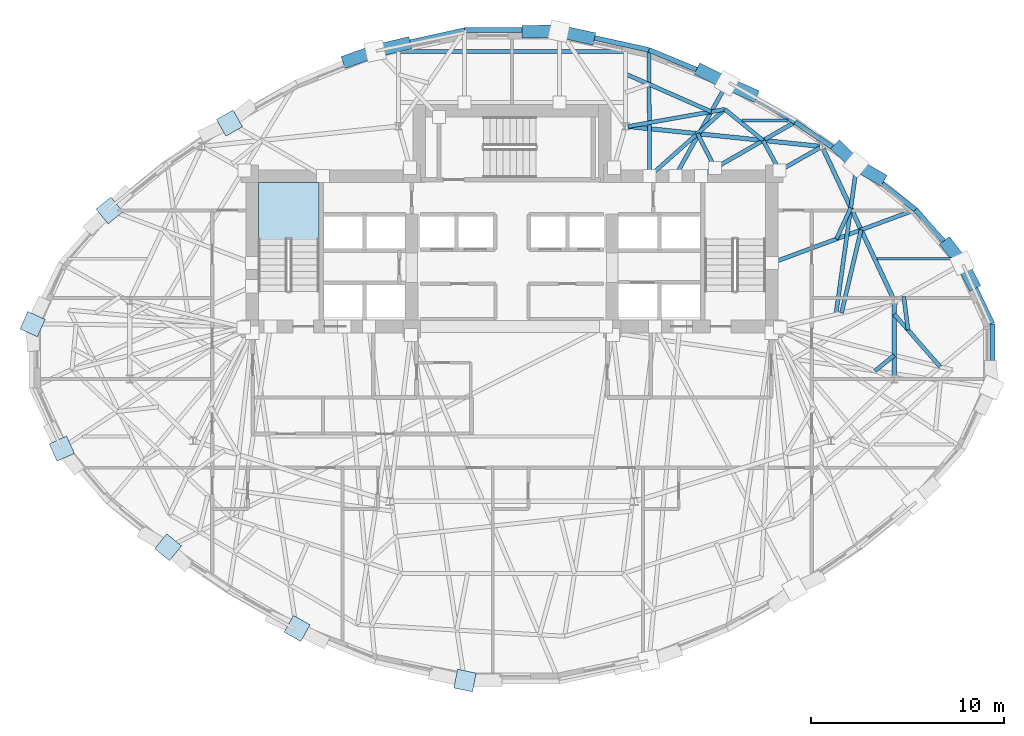
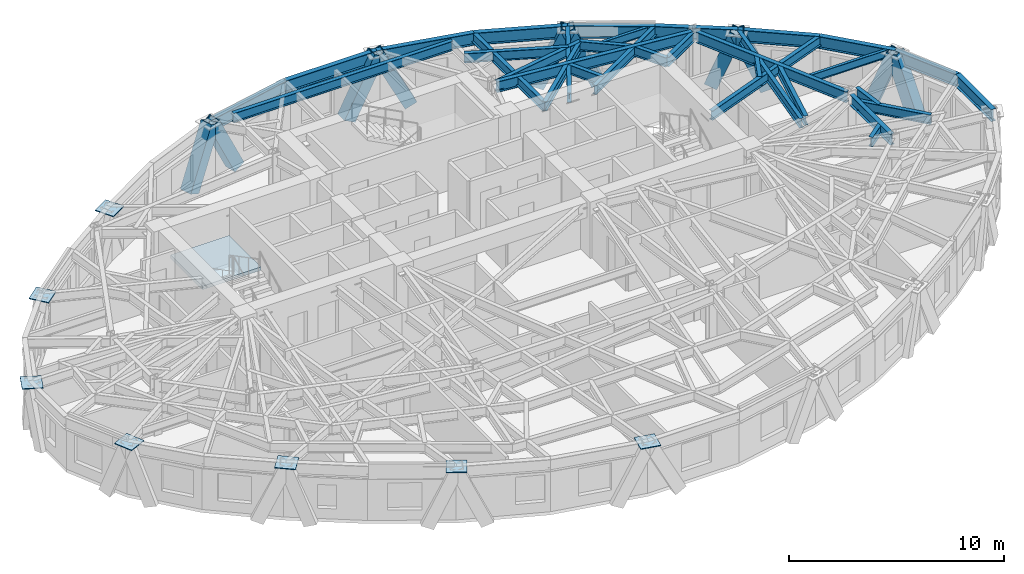
# One storey, part 4 of 14: 33 beams, 10 members, 7 plates, 1 slab, 1 element without a shape of its own.
"""IFC4 building model written with IfcOpenShell, lengths in metres."""

from ifc_helpers import new_model, si_unit, direction, frame, origin, origin_2d, place, context, subcontext, project, spatial, polyline, rectangle, hollow_rectangle, i_section, outline, extrude, material, layer, layer_set, material_profile, profile_set, type_object, element, aggregate, save


model = new_model("IFC4")

# Units and contexts
model_context = context("Model", 3, precision=1e-05, world=origin(), true_north=direction((0.0, 1.0)))
body_context = subcontext(model_context, "Body", "Model", "MODEL_VIEW")
ifc_project = project(units=[si_unit("LENGTHUNIT", "METRE"), si_unit("AREAUNIT", "SQUARE_METRE"), si_unit("VOLUMEUNIT", "CUBIC_METRE"), si_unit("PLANEANGLEUNIT", "RADIAN"), si_unit("MASSUNIT", "GRAM", prefix="KILO")], contexts=[model_context])

# Site, building, storey
site_placement = place(None, origin())
site = spatial("IfcSite", under=ifc_project, at=site_placement, CompositionType="ELEMENT")
building_placement = place(site_placement, origin())
building = spatial("IfcBuilding", under=site, at=building_placement, Name="Keldmark Tower", CompositionType="ELEMENT")
storey_placement = place(building_placement, frame((0.0, 0.0, 182.199951171875)))
storey = spatial("IfcBuildingStorey", under=building, at=storey_placement, Name="L50", CompositionType="ELEMENT", Elevation=182.199951171875)

# Beams
ifc_material_1 = material(Name="Steel ASTM A992 Grade 50", Category="steel")
ifc_material_profile_1 = material_profile(ifc_material_1, i_section(OverallWidth=0.153076171875, OverallDepth=0.455078125, WebThickness=0.008056640625, FlangeThickness=0.01318359375, at=origin_2d()), Name="W18X40")
ifc_profile_set_1 = profile_set([ifc_material_profile_1], Name="Steel ASTM A992 Grade 50")
beam_type_1 = type_object("IfcBeamType", Name="Composite Floor Joist W18X40", PredefinedType="JOIST", material=ifc_profile_set_1)
beam_1_placement = place(storey_placement, frame((18.927734375, 5.0400390625, 2.79248046875), z_axis=(1.0, 0.0, 0.0), x_axis=(0.0, 1.0, 0.0)))
element("IfcBeam", 1, at=beam_1_placement, inside=storey, type_object=beam_type_1, Name="L50 Composite Floor Joist J06", PredefinedType="JOIST", context=body_context, shape_type="SweptSolid", body=[
    extrude(i_section(OverallWidth=0.153076171875, OverallDepth=0.455078125, WebThickness=0.008056640625, FlangeThickness=0.01318359375, at=origin_2d()), origin(), (0.0, 0.0, 1.0), 4.1181640625),
])
beam_2_placement = place(storey_placement, frame((11.921630859375, 12.199951171875, 2.79248046875), z_axis=(1.0, 0.0, 0.0), x_axis=(0.0, 1.0, 0.0)))
element("IfcBeam", 2, at=beam_2_placement, inside=storey, type_object=beam_type_1, Name="L50 Composite Floor Joist J07", PredefinedType="JOIST", context=body_context, shape_type="SweptSolid", body=[
    extrude(i_section(OverallWidth=0.153076171875, OverallDepth=0.455078125, WebThickness=0.008056640625, FlangeThickness=0.01318359375, at=origin_2d()), origin(), (0.0, 0.0, 1.0), 2.400390625),
])

# Members
ifc_material_2 = material(Name="Steel ASTM A572 Grade 50", Category="steel")
ifc_material_profile_2 = material_profile(ifc_material_2, hollow_rectangle(XDim=0.64990234375, YDim=0.64990234375, WallThickness=0.0400390625, at=origin_2d()), Name="BOX650X650X40")
ifc_profile_set_2 = profile_set([ifc_material_profile_2], Name="Steel ASTM A572 Grade 50")
member_type = type_object("IfcMemberType", Name="Diagrid Zone 3 Brace BOX650X650X40", PredefinedType="BRACE", material=ifc_profile_set_2)
member_1_placement = place(storey_placement, frame((23.889892578125, 3.7666015625, -0.260009765625), z_axis=(-0.159920374958, 0.309049021715, 0.937504227111), x_axis=(-0.888138551958, -0.459575796279, 0.0)))
element("IfcMember", 3, at=member_1_placement, inside=storey, type_object=member_type, Name="L50 Perimeter Diagrid Brace 01A", PredefinedType="BRACE", context=body_context, shape_type="SweptSolid", body=[
    extrude(hollow_rectangle(XDim=0.64990234375, YDim=0.64990234375, WallThickness=0.0400390625, at=origin_2d()), origin(), (0.0, 0.0, 1.0), 3.370849609375),
])
member_2_placement = place(storey_placement, frame((22.619384765625, 5.747314453125, -0.260009765625), z_axis=(0.217087179675, -0.28114450781, 0.934789239427), x_axis=(0.79150404649, 0.611163925956, 0.0)))
element("IfcMember", 4, at=member_2_placement, inside=storey, type_object=member_type, Name="L50 Perimeter Diagrid Brace 01B", PredefinedType="BRACE", context=body_context, shape_type="SweptSolid", body=[
    extrude(hollow_rectangle(XDim=0.64990234375, YDim=0.64990234375, WallThickness=0.0400390625, at=origin_2d()), origin(), (0.0, 0.0, 1.0), 3.380615234375),
])
member_3_placement = place(storey_placement, frame((19.040771484375, 9.231201171875, -0.260009765625), z_axis=(-0.348339985242, 0.201223808734, 0.91551528304), x_axis=(-0.500204365392, -0.865907381215, 0.0)))
element("IfcMember", 5, at=member_3_placement, inside=storey, type_object=member_type, Name="L50 Perimeter Diagrid Brace 02A", PredefinedType="BRACE", context=body_context, shape_type="SweptSolid", body=[
    extrude(hollow_rectangle(XDim=0.64990234375, YDim=0.64990234375, WallThickness=0.0400390625, at=origin_2d()), origin(), (0.0, 0.0, 1.0), 3.45166015625),
])
member_4_placement = place(storey_placement, frame((16.97119140625, 10.764892578125, -0.260009765625), z_axis=(0.257925376839, -0.250644643731, 0.933087221299), x_axis=(0.6969123658, 0.717156297047, 0.0)))
element("IfcMember", 6, at=member_4_placement, inside=storey, type_object=member_type, Name="L50 Perimeter Diagrid Brace 02B", PredefinedType="BRACE", context=body_context, shape_type="SweptSolid", body=[
    extrude(hollow_rectangle(XDim=0.64990234375, YDim=0.64990234375, WallThickness=0.0400390625, at=origin_2d()), origin(), (0.0, 0.0, 1.0), 3.38671875),
])
member_5_placement = place(storey_placement, frame((12.425537109375, 13.571533203125, -0.260009765625), z_axis=(-0.370348731886, 0.163877371348, 0.914322713242), x_axis=(-0.404649083061, -0.914472044175, 0.0)))
element("IfcMember", 7, at=member_5_placement, inside=storey, type_object=member_type, Name="L50 Perimeter Diagrid Brace 03A", PredefinedType="BRACE", context=body_context, shape_type="SweptSolid", body=[
    extrude(hollow_rectangle(XDim=0.64990234375, YDim=0.64990234375, WallThickness=0.0400390625, at=origin_2d()), origin(), (0.0, 0.0, 1.0), 3.456298828125),
])
member_6_placement = place(storey_placement, frame((9.857666015625, 14.779541015625, -0.260009765625), z_axis=(0.373182012209, -0.186415473643, 0.908836870373), x_axis=(0.446876933368, 0.894595442881, 0.0)))
element("IfcMember", 8, at=member_6_placement, inside=storey, type_object=member_type, Name="L50 Perimeter Diagrid Brace 03B", PredefinedType="BRACE", context=body_context, shape_type="SweptSolid", body=[
    extrude(hollow_rectangle(XDim=0.64990234375, YDim=0.64990234375, WallThickness=0.0400390625, at=origin_2d()), origin(), (0.0, 0.0, 1.0), 3.47705078125),
])
member_7_placement = place(storey_placement, frame((3.9912109375, 16.500732421875, -0.260009765625), z_axis=(-0.439254914949, 0.095442191261, 0.893278180535), x_axis=(-0.212327661426, -0.977198528546, 0.0)))
element("IfcMember", 9, at=member_7_placement, inside=storey, type_object=member_type, Name="L50 Perimeter Diagrid Brace 04A", PredefinedType="BRACE", context=body_context, shape_type="SweptSolid", body=[
    extrude(hollow_rectangle(XDim=0.64990234375, YDim=0.64990234375, WallThickness=0.0400390625, at=origin_2d()), origin(), (0.0, 0.0, 1.0), 3.53759765625),
])
member_8_placement = place(storey_placement, frame((0.8115234375, 16.82080078125, -0.260009765625), z_axis=(0.460004490185, 0.004321545315, 0.887906072316), x_axis=(-0.00939415748, 0.999955873929, 0.0)))
element("IfcMember", 10, at=member_8_placement, inside=storey, type_object=member_type, Name="L50 Perimeter Diagrid Brace 04B", PredefinedType="BRACE", context=body_context, shape_type="SweptSolid", body=[
    extrude(hollow_rectangle(XDim=0.64990234375, YDim=0.64990234375, WallThickness=0.0400390625, at=origin_2d()), origin(), (0.0, 0.0, 1.0), 3.55908203125),
])
member_9_placement = place(storey_placement, frame((-5.558837890625, 16.17626953125, -0.260009765625), z_axis=(-0.435005520657, -0.103378595537, 0.894473623414), x_axis=(0.231209584419, -0.972903966521, 0.0)))
element("IfcMember", 11, at=member_9_placement, inside=storey, type_object=member_type, Name="L50 Perimeter Diagrid Brace 05A", PredefinedType="BRACE", context=body_context, shape_type="SweptSolid", body=[
    extrude(hollow_rectangle(XDim=0.64990234375, YDim=0.64990234375, WallThickness=0.0400390625, at=origin_2d()), origin(), (0.0, 0.0, 1.0), 3.532958984375),
])
member_10_placement = place(storey_placement, frame((-8.486083984375, 15.315673828125, -0.260009765625), z_axis=(0.40141936816, 0.142450404372, 0.904748790085), x_axis=(-0.334433352751, 0.942419403752, 0.0)))
element("IfcMember", 12, at=member_10_placement, inside=storey, type_object=member_type, Name="L50 Perimeter Diagrid Brace 05B", PredefinedType="BRACE", context=body_context, shape_type="SweptSolid", body=[
    extrude(hollow_rectangle(XDim=0.64990234375, YDim=0.64990234375, WallThickness=0.0400390625, at=origin_2d()), origin(), (0.0, 0.0, 1.0), 3.492919921875),
])

# Beams
ifc_material_3 = material(Name="Steel ASTM A992 Grade 50", Category="steel")
ifc_material_profile_3 = material_profile(ifc_material_3, i_section(OverallWidth=0.22900390625, OverallDepth=0.612060546875, WebThickness=0.011962890625, FlangeThickness=0.01953125, at=origin_2d()), Name="W24X84")
ifc_profile_set_3 = profile_set([ifc_material_profile_3], Name="Steel ASTM A992 Grade 50")
beam_type_2 = type_object("IfcBeamType", Name="Primary Floor Girder W24X84", PredefinedType="BEAM", material=ifc_profile_set_3)
beam_3_placement = place(storey_placement, frame((19.76904296875, 2.99609375, 2.714111328125), z_axis=(-0.424526823774, 0.905415360979, 0.0), x_axis=(-0.905415360979, -0.424526823774, 0.0)))
element("IfcBeam", 13, at=beam_3_placement, inside=storey, type_object=beam_type_2, Name="L50 Floor Ring Girder FG-R01", PredefinedType="BEAM", context=body_context, shape_type="SweptSolid", body=[
    extrude(i_section(OverallWidth=0.22900390625, OverallDepth=0.612060546875, WebThickness=0.011962890625, FlangeThickness=0.01953125, at=origin_2d()), origin(), (0.0, 0.0, 1.0), 8.54638671875),
])
beam_4_placement = place(storey_placement, frame((15.942138671875, 10.87548828125, 2.714111328125), z_axis=(-0.994702930931, 0.102791435423, 0.0), x_axis=(-0.102791435423, -0.994702930931, 0.0)))
element("IfcBeam", 14, at=beam_4_placement, inside=storey, type_object=beam_type_2, Name="L50 Floor Ring Girder FG-R02", PredefinedType="BEAM", context=body_context, shape_type="SweptSolid", body=[
    extrude(i_section(OverallWidth=0.22900390625, OverallDepth=0.612060546875, WebThickness=0.011962890625, FlangeThickness=0.01953125, at=origin_2d()), origin(), (0.0, 0.0, 1.0), 9.975341796875),
])
beam_5_placement = place(storey_placement, frame((19.828369140625, -1.04931640625, 2.714111328125), z_axis=(0.0, 1.0, 0.0), x_axis=(-1.0, 0.0, 0.0)))
element("IfcBeam", 15, at=beam_5_placement, inside=storey, type_object=beam_type_2, Name="L50 Floor Ring Girder FG-R12", PredefinedType="BEAM", context=body_context, shape_type="SweptSolid", body=[
    extrude(i_section(OverallWidth=0.22900390625, OverallDepth=0.612060546875, WebThickness=0.011962890625, FlangeThickness=0.01953125, at=origin_2d()), origin(), (0.0, 0.0, 1.0), 3.778564453125),
])
ifc_material_4 = material(Name="Steel ASTM A992 Grade 50", Category="steel")
ifc_material_profile_4 = material_profile(ifc_material_4, i_section(OverallWidth=0.2099609375, OverallDepth=0.537109375, WebThickness=0.010986328125, FlangeThickness=0.017333984375, at=origin_2d()), Name="W21X68")
ifc_profile_set_4 = profile_set([ifc_material_profile_4], Name="Steel ASTM A992 Grade 50")
beam_type_3 = type_object("IfcBeamType", Name="Radial Tie Girder W21X68", PredefinedType="BEAM", material=ifc_profile_set_4)
beam_6_placement = place(storey_placement, frame((15.959716796875, 10.791748046875, 2.75146484375), z_axis=(-0.86929527307, -0.494293160197, 0.0), x_axis=(0.494293160197, -0.86929527307, 0.0)))
element("IfcBeam", 16, at=beam_6_placement, inside=storey, type_object=beam_type_3, Name="L50 Floor Radial Girder FG-C02", PredefinedType="BEAM", context=body_context, shape_type="SweptSolid", body=[
    extrude(i_section(OverallWidth=0.2099609375, OverallDepth=0.537109375, WebThickness=0.010986328125, FlangeThickness=0.017333984375, at=origin_2d()), origin(), (0.0, 0.0, 1.0), 2.39453125),
])
beam_7_placement = place(storey_placement, frame((18.82861328125, -0.773681640625, 2.75146484375), z_axis=(0.780124815804, 0.625623906007, 0.0), x_axis=(-0.625623906007, 0.780124815804, 0.0)))
element("IfcBeam", 17, at=beam_7_placement, inside=storey, type_object=beam_type_3, Name="L50 Framing Pin Header PH-006", PredefinedType="BEAM", context=body_context, shape_type="SweptSolid", body=[
    extrude(i_section(OverallWidth=0.2099609375, OverallDepth=0.537109375, WebThickness=0.010986328125, FlangeThickness=0.017333984375, at=origin_2d()), origin(), (0.0, 0.0, 1.0), 1.281494140625),
])
beam_8_placement = place(storey_placement, frame((19.828369140625, 2.162353515625, 2.75146484375), z_axis=(0.657591371341, -0.753374799378, 0.0), x_axis=(0.753374799378, 0.657591371341, 0.0)))
element("IfcBeam", 18, at=beam_8_placement, inside=storey, type_object=beam_type_3, Name="L50 Framing Pin Header PH-012", PredefinedType="BEAM", context=body_context, shape_type="SweptSolid", body=[
    extrude(i_section(OverallWidth=0.2099609375, OverallDepth=0.537109375, WebThickness=0.010986328125, FlangeThickness=0.017333984375, at=origin_2d()), origin(), (0.0, 0.0, 1.0), 3.616943359375),
])
beam_9_placement = place(storey_placement, frame((20.5419921875, 1.344970703125, 2.75146484375), z_axis=(-0.125719410797, 0.992065839422, 0.0), x_axis=(-0.992065839422, -0.125719410797, 0.0)))
element("IfcBeam", 19, at=beam_9_placement, inside=storey, type_object=beam_type_3, Name="L50 Framing Pin Header PH-013", PredefinedType="BEAM", context=body_context, shape_type="SweptSolid", body=[
    extrude(i_section(OverallWidth=0.2099609375, OverallDepth=0.537109375, WebThickness=0.010986328125, FlangeThickness=0.017333984375, at=origin_2d()), origin(), (0.0, 0.0, 1.0), 1.747802734375),
])
beam_10_placement = place(storey_placement, frame((17.0908203125, 2.223388671875, 2.75146484375), z_axis=(0.229478248404, 0.973313789849, 0.0), x_axis=(-0.973313789849, 0.229478248404, 0.0)))
element("IfcBeam", 20, at=beam_10_placement, inside=storey, type_object=beam_type_3, Name="L50 Framing Pin Header PH-014", PredefinedType="BEAM", context=body_context, shape_type="SweptSolid", body=[
    extrude(i_section(OverallWidth=0.2099609375, OverallDepth=0.537109375, WebThickness=0.010986328125, FlangeThickness=0.017333984375, at=origin_2d()), origin(), (0.0, 0.0, 1.0), 4.433349609375),
])
beam_11_placement = place(storey_placement, frame((13.47509765625, 4.8212890625, 2.75146484375), z_axis=(0.9376738421, 0.34751656916, 0.0), x_axis=(-0.34751656916, 0.9376738421, 0.0)))
element("IfcBeam", 21, at=beam_11_placement, inside=storey, type_object=beam_type_3, Name="L50 Perimeter Radial Tie Girder RT-03", PredefinedType="BEAM", context=body_context, shape_type="SweptSolid", body=[
    extrude(i_section(OverallWidth=0.2099609375, OverallDepth=0.537109375, WebThickness=0.010986328125, FlangeThickness=0.017333984375, at=origin_2d()), origin(), (0.0, 0.0, 1.0), 7.94287109375),
])
beam_12_placement = place(storey_placement, frame((16.82666015625, 6.0634765625, 2.75146484375), z_axis=(0.419623531876, 0.907698238125, 0.0), x_axis=(-0.907698238125, 0.419623531876, 0.0)))
element("IfcBeam", 22, at=beam_12_placement, inside=storey, type_object=beam_type_3, Name="L50 Framing Pin Header PH-015", PredefinedType="BEAM", context=body_context, shape_type="SweptSolid", body=[
    extrude(i_section(OverallWidth=0.2099609375, OverallDepth=0.537109375, WebThickness=0.010986328125, FlangeThickness=0.017333984375, at=origin_2d()), origin(), (0.0, 0.0, 1.0), 1.77978515625),
])
beam_13_placement = place(storey_placement, frame((16.8017578125, 2.1552734375, 2.75146484375), z_axis=(0.138338894605, 0.990384950532, 0.0), x_axis=(-0.990384950532, 0.138338894605, 0.0)))
element("IfcBeam", 23, at=beam_13_placement, inside=storey, type_object=beam_type_3, Name="L50 Perimeter Radial Tie Girder RT-04", PredefinedType="BEAM", context=body_context, shape_type="SweptSolid", body=[
    extrude(i_section(OverallWidth=0.2099609375, OverallDepth=0.537109375, WebThickness=0.010986328125, FlangeThickness=0.017333984375, at=origin_2d()), origin(), (0.0, 0.0, 1.0), 7.87451171875),
])
beam_14_placement = place(storey_placement, frame((13.878173828125, 9.608154296875, 2.75146484375), z_axis=(-0.477423808752, 0.878673151312, 0.0), x_axis=(-0.878673151312, -0.477423808752, 0.0)))
element("IfcBeam", 24, at=beam_14_placement, inside=storey, type_object=beam_type_3, Name="L50 Framing Pin Header PH-016", PredefinedType="BEAM", context=body_context, shape_type="SweptSolid", body=[
    extrude(i_section(OverallWidth=0.2099609375, OverallDepth=0.537109375, WebThickness=0.010986328125, FlangeThickness=0.017333984375, at=origin_2d()), origin(), (0.0, 0.0, 1.0), 1.78515625),
])
beam_15_placement = place(storey_placement, frame((9.8037109375, 9.324951171875, 2.75146484375), z_axis=(0.867025792536, 0.498263258808, 0.0), x_axis=(-0.498263258808, 0.867025792536, 0.0)))
element("IfcBeam", 25, at=beam_15_placement, inside=storey, type_object=beam_type_3, Name="L50 Perimeter Radial Tie Girder RT-05", PredefinedType="BEAM", context=body_context, shape_type="SweptSolid", body=[
    extrude(i_section(OverallWidth=0.2099609375, OverallDepth=0.537109375, WebThickness=0.010986328125, FlangeThickness=0.017333984375, at=origin_2d()), origin(), (0.0, 0.0, 1.0), 5.62744140625),
])
beam_16_placement = place(storey_placement, frame((10.535400390625, 9.74560546875, 2.75146484375), z_axis=(-0.456929701611, 0.889502809319, 0.0), x_axis=(-0.889502809319, -0.456929701611, 0.0)))
element("IfcBeam", 26, at=beam_16_placement, inside=storey, type_object=beam_type_3, Name="L50 Framing Pin Header PH-017", PredefinedType="BEAM", context=body_context, shape_type="SweptSolid", body=[
    extrude(i_section(OverallWidth=0.2099609375, OverallDepth=0.537109375, WebThickness=0.010986328125, FlangeThickness=0.017333984375, at=origin_2d()), origin(), (0.0, 0.0, 1.0), 2.004638671875),
])
beam_17_placement = place(storey_placement, frame((7.139404296875, 9.324951171875, 2.75146484375), z_axis=(0.747525484116, 0.664233129704, 0.0), x_axis=(-0.664233129704, 0.747525484116, 0.0)))
element("IfcBeam", 27, at=beam_17_placement, inside=storey, type_object=beam_type_3, Name="L50 Intermediate Radial Step Girder RT-06M", PredefinedType="BEAM", context=body_context, shape_type="SweptSolid", body=[
    extrude(i_section(OverallWidth=0.2099609375, OverallDepth=0.537109375, WebThickness=0.010986328125, FlangeThickness=0.017333984375, at=origin_2d()), origin(), (0.0, 0.0, 1.0), 5.217529296875),
])
beam_18_placement = place(storey_placement, frame((13.02587890625, 11.1767578125, 2.75146484375), z_axis=(-0.776137343411, 0.630563893799, 0.0), x_axis=(-0.630563893799, -0.776137343411, 0.0)))
element("IfcBeam", 28, at=beam_18_placement, inside=storey, type_object=beam_type_3, Name="L50 Local Collector Chord RT-06C", PredefinedType="BEAM", context=body_context, shape_type="SweptSolid", body=[
    extrude(i_section(OverallWidth=0.2099609375, OverallDepth=0.537109375, WebThickness=0.010986328125, FlangeThickness=0.017333984375, at=origin_2d()), origin(), (0.0, 0.0, 1.0), 2.559326171875),
])
beam_19_placement = place(storey_placement, frame((-5.880126953125, 15.79541015625, 2.75146484375), z_axis=(1.0, 0.0, 0.0), x_axis=(0.0, 1.0, 0.0)))
element("IfcBeam", 29, at=beam_19_placement, inside=storey, type_object=beam_type_3, Name="L50 North Outer Header Girder FG-TCN-H1", PredefinedType="BEAM", context=body_context, shape_type="SweptSolid", body=[
    extrude(i_section(OverallWidth=0.2099609375, OverallDepth=0.537109375, WebThickness=0.010986328125, FlangeThickness=0.017333984375, at=origin_2d()), origin(), (0.0, 0.0, 1.0), 11.76025390625),
])
beam_20_placement = place(storey_placement, frame((11.03955078125, 12.79052734375, 2.75146484375), z_axis=(-0.984656992163, -0.174501025165, 0.0), x_axis=(0.174501025165, -0.984656992163, 0.0)))
element("IfcBeam", 30, at=beam_20_placement, inside=storey, type_object=beam_type_3, Name="L50 Straddling Support Chord RT-06RB", PredefinedType="BEAM", context=body_context, shape_type="SweptSolid", body=[
    extrude(i_section(OverallWidth=0.2099609375, OverallDepth=0.537109375, WebThickness=0.010986328125, FlangeThickness=0.017333984375, at=origin_2d()), origin(), (0.0, 0.0, 1.0), 5.09814453125),
])
beam_21_placement = place(storey_placement, frame((5.880126953125, 14.63134765625, 2.75146484375), z_axis=(0.914961355442, -0.403541470047, 0.0), x_axis=(0.403541470047, 0.914961355442, 0.0)))
element("IfcBeam", 31, at=beam_21_placement, inside=storey, type_object=beam_type_3, Name="L50 Framing Pin Header PH-038", PredefinedType="BEAM", context=body_context, shape_type="SweptSolid", body=[
    extrude(i_section(OverallWidth=0.2099609375, OverallDepth=0.537109375, WebThickness=0.010986328125, FlangeThickness=0.017333984375, at=origin_2d()), origin(), (0.0, 0.0, 1.0), 4.8701171875),
])
beam_22_placement = place(storey_placement, frame((8.471435546875, 9.324951171875, 2.75146484375), z_axis=(0.487359158034, 0.873201609641, 0.0), x_axis=(-0.873201609641, 0.487359158034, 0.0)))
element("IfcBeam", 32, at=beam_22_placement, inside=storey, type_object=beam_type_3, Name="L50 Perimeter Radial Tie Girder RT-06R", PredefinedType="BEAM", context=body_context, shape_type="SweptSolid", body=[
    extrude(i_section(OverallWidth=0.2099609375, OverallDepth=0.537109375, WebThickness=0.010986328125, FlangeThickness=0.017333984375, at=origin_2d()), origin(), (0.0, 0.0, 1.0), 5.56494140625),
])
beam_23_placement = place(storey_placement, frame((7.139404296875, 9.324951171875, 2.75146484375), z_axis=(-0.005781112597, 0.999983289229, 0.0), x_axis=(-0.999983289229, -0.005781112597, 0.0)))
element("IfcBeam", 33, at=beam_23_placement, inside=storey, type_object=beam_type_3, Name="L50 Perimeter Radial Tie Girder RT-07R", PredefinedType="BEAM", context=body_context, shape_type="SweptSolid", body=[
    extrude(i_section(OverallWidth=0.2099609375, OverallDepth=0.537109375, WebThickness=0.010986328125, FlangeThickness=0.017333984375, at=origin_2d()), origin(), (0.0, 0.0, 1.0), 6.545654296875),
])
ifc_material_5 = material(Name="Steel ASTM A992 Grade 50", Category="steel")
ifc_material_profile_5 = material_profile(ifc_material_5, i_section(OverallWidth=0.256103515625, OverallDepth=0.693115234375, WebThickness=0.014404296875, FlangeThickness=0.023681640625, at=origin_2d()), Name="W27X114")
ifc_profile_set_5 = profile_set([ifc_material_profile_5], Name="Steel ASTM A992 Grade 50")
beam_type_4 = type_object("IfcBeamType", Name="Spandrel Ring Beam W27X114", PredefinedType="SPANDREL", material=ifc_profile_set_5)
beam_24_placement = place(storey_placement, frame((24.9228515625, 1.6640625, 2.673583984375), z_axis=(-0.43276286683, 0.90150779314, 0.0), x_axis=(-0.90150779314, -0.43276286683, 0.0)))
element("IfcBeam", 34, at=beam_24_placement, inside=storey, type_object=beam_type_4, Name="L50 Perimeter Spandrel Ring Beam SRB-01", PredefinedType="SPANDREL", context=body_context, shape_type="SweptSolid", body=[
    extrude(i_section(OverallWidth=0.256103515625, OverallDepth=0.693115234375, WebThickness=0.014404296875, FlangeThickness=0.023681640625, at=origin_2d()), origin(), (0.0, 0.0, 1.0), 3.494384765625),
])
beam_25_placement = place(storey_placement, frame((23.41064453125, 4.814208984375, 2.673583984375), z_axis=(-0.668547778607, 0.743669192396, 0.0), x_axis=(-0.743669192396, -0.668547778607, 0.0)))
element("IfcBeam", 35, at=beam_25_placement, inside=storey, type_object=beam_type_4, Name="L50 Perimeter Spandrel Ring Beam SRB-02", PredefinedType="SPANDREL", context=body_context, shape_type="SweptSolid", body=[
    extrude(i_section(OverallWidth=0.256103515625, OverallDepth=0.693115234375, WebThickness=0.014404296875, FlangeThickness=0.023681640625, at=origin_2d()), origin(), (0.0, 0.0, 1.0), 3.72119140625),
])
beam_26_placement = place(storey_placement, frame((20.9228515625, 7.58154296875, 2.673583984375), z_axis=(-0.787518383176, 0.616291161838, 0.0), x_axis=(-0.616291161838, -0.787518383176, 0.0)))
element("IfcBeam", 36, at=beam_26_placement, inside=storey, type_object=beam_type_4, Name="L50 Perimeter Spandrel Ring Beam SRB-03", PredefinedType="SPANDREL", context=body_context, shape_type="SweptSolid", body=[
    extrude(i_section(OverallWidth=0.256103515625, OverallDepth=0.693115234375, WebThickness=0.014404296875, FlangeThickness=0.023681640625, at=origin_2d()), origin(), (0.0, 0.0, 1.0), 3.849853515625),
])
beam_27_placement = place(storey_placement, frame((17.89111328125, 9.9541015625, 2.673583984375), z_axis=(-0.82774221662, 0.561108565988, 0.0), x_axis=(-0.561108565988, -0.82774221662, 0.0)))
element("IfcBeam", 37, at=beam_27_placement, inside=storey, type_object=beam_type_4, Name="L50 Perimeter Spandrel Ring Beam SRB-04", PredefinedType="SPANDREL", context=body_context, shape_type="SweptSolid", body=[
    extrude(i_section(OverallWidth=0.256103515625, OverallDepth=0.693115234375, WebThickness=0.014404296875, FlangeThickness=0.023681640625, at=origin_2d()), origin(), (0.0, 0.0, 1.0), 3.8759765625),
])
beam_28_placement = place(storey_placement, frame((14.682861328125, 12.12890625, 2.673583984375), z_axis=(-0.862254167878, 0.506475813812, 0.0), x_axis=(-0.506475813812, -0.862254167878, 0.0)))
element("IfcBeam", 38, at=beam_28_placement, inside=storey, type_object=beam_type_4, Name="L50 Perimeter Spandrel Ring Beam SRB-05", PredefinedType="SPANDREL", context=body_context, shape_type="SweptSolid", body=[
    extrude(i_section(OverallWidth=0.256103515625, OverallDepth=0.693115234375, WebThickness=0.014404296875, FlangeThickness=0.023681640625, at=origin_2d()), origin(), (0.0, 0.0, 1.0), 4.058349609375),
])
beam_29_placement = place(storey_placement, frame((11.18359375, 14.184326171875, 2.673583984375), z_axis=(-0.924243616995, 0.381803269294, 0.0), x_axis=(-0.381803269294, -0.924243616995, 0.0)))
element("IfcBeam", 39, at=beam_29_placement, inside=storey, type_object=beam_type_4, Name="L50 Perimeter Spandrel Ring Beam SRB-06", PredefinedType="SPANDREL", context=body_context, shape_type="SweptSolid", body=[
    extrude(i_section(OverallWidth=0.256103515625, OverallDepth=0.693115234375, WebThickness=0.014404296875, FlangeThickness=0.023681640625, at=origin_2d()), origin(), (0.0, 0.0, 1.0), 4.41650390625),
])
beam_30_placement = place(storey_placement, frame((7.1015625, 15.87060546875, 2.673583984375), z_axis=(-0.976509488036, 0.215474406312, 0.0), x_axis=(-0.215474406312, -0.976509488036, 0.0)))
element("IfcBeam", 40, at=beam_30_placement, inside=storey, type_object=beam_type_4, Name="L50 Perimeter Spandrel Ring Beam SRB-07", PredefinedType="SPANDREL", context=body_context, shape_type="SweptSolid", body=[
    extrude(i_section(OverallWidth=0.256103515625, OverallDepth=0.693115234375, WebThickness=0.014404296875, FlangeThickness=0.023681640625, at=origin_2d()), origin(), (0.0, 0.0, 1.0), 4.7587890625),
])
beam_31_placement = place(storey_placement, frame((2.45458984375, 16.89599609375, 2.673583984375), z_axis=(-1.0, 0.0, 0.0), x_axis=(0.0, -1.0, 0.0)))
element("IfcBeam", 41, at=beam_31_placement, inside=storey, type_object=beam_type_4, Name="L50 Perimeter Spandrel Ring Beam SRB-08", PredefinedType="SPANDREL", context=body_context, shape_type="SweptSolid", body=[
    extrude(i_section(OverallWidth=0.256103515625, OverallDepth=0.693115234375, WebThickness=0.014404296875, FlangeThickness=0.023681640625, at=origin_2d()), origin(), (0.0, 0.0, 1.0), 4.9091796875),
])
beam_32_placement = place(storey_placement, frame((-2.45458984375, 16.89599609375, 2.673583984375), z_axis=(-0.976509488036, -0.215474406312, 0.0), x_axis=(0.215474406312, -0.976509488036, 0.0)))
element("IfcBeam", 42, at=beam_32_placement, inside=storey, type_object=beam_type_4, Name="L50 Perimeter Spandrel Ring Beam SRB-09", PredefinedType="SPANDREL", context=body_context, shape_type="SweptSolid", body=[
    extrude(i_section(OverallWidth=0.256103515625, OverallDepth=0.693115234375, WebThickness=0.014404296875, FlangeThickness=0.023681640625, at=origin_2d()), origin(), (0.0, 0.0, 1.0), 4.7587890625),
])
beam_33_placement = place(storey_placement, frame((24.9228515625, -1.6640625, 2.673583984375), z_axis=(0.0, 1.0, 0.0), x_axis=(-1.0, 0.0, 0.0)))
element("IfcBeam", 43, at=beam_33_placement, inside=storey, type_object=beam_type_4, Name="L50 Perimeter Spandrel Ring Beam SRB-32", PredefinedType="SPANDREL", context=body_context, shape_type="SweptSolid", body=[
    extrude(i_section(OverallWidth=0.256103515625, OverallDepth=0.693115234375, WebThickness=0.014404296875, FlangeThickness=0.023681640625, at=origin_2d()), origin(), (0.0, 0.0, 1.0), 3.328125),
])

# Plates
ifc_material_6 = material(Name="Steel ASTM A572 Grade 50", Category="steel")
ifc_layer_1 = layer(ifc_material_6, 0.044921875)
ifc_layer_set_1 = layer_set([ifc_layer_1], Name="Steel ASTM A572 Grade 50")
plate_type = type_object("IfcPlateType", Name="Diagrid Node Assembly DN04 45 mm", PredefinedType="USERDEFINED", material=ifc_layer_set_1)
for number, where, z_axis, x_axis, name in (
    (44, (-14.654541015625, 12.075927734375, 2.877685546875), (0.0, 0.0, 1.0), (-0.87104240031, -0.491207834691, 0.0), "L50 Diagrid Node Assembly 11"),
    (45, (-20.87646484375, 7.54345703125, 2.877685546875), (0.0, 0.0, 1.0), (-0.775165061333, -0.631758757508, 0.0), "L50 Diagrid Node Assembly 13"),
    (46, (-24.865478515625, 1.646728515625, 2.877685546875), (0.0, 0.0, 1.0), (-0.410877978854, -0.911690345728, 0.0), "L50 Diagrid Node Assembly 15"),
    (47, (-23.350830078125, -4.808349609375, 2.877685546875), (0.0, 0.0, 1.0), (0.410877978854, -0.911690345728, 0.0), "L50 Diagrid Node Assembly 17"),
    (48, (-17.83837890625, -9.92578125, 2.877685546875), (0.0, 0.0, 1.0), (0.775165061333, -0.631758757508, 0.0), "L50 Diagrid Node Assembly 19"),
    (49, (-11.1455078125, -14.137939453125, 2.877685546875), (0.0, 0.0, 1.0), (0.87104240031, -0.491207834691, 0.0), "L50 Diagrid Node Assembly 21"),
    (50, (-2.437255859375, -16.83837890625, 2.877685546875), (0.0, 0.0, 1.0), (0.979222810622, -0.202787295357, 0.0), "L50 Diagrid Node Assembly 23"),
):
    element("IfcPlate", number, at=place(storey_placement, frame(where, z_axis=z_axis, x_axis=x_axis)), inside=storey, type_object=plate_type, Name=name, ObjectType="GUSSET", PredefinedType="USERDEFINED", context=body_context, shape_type="SweptSolid", body=[
        extrude(rectangle(XDim=0.989990234375, YDim=0.989990234375, at=origin_2d()), origin(), (0.0, 0.0, 1.0), 0.044921875),
    ])

# Stair, slab
ifc_material_7 = material(Name="Concrete C40/50", Category="concrete")
stair_type = type_object("IfcStairType", Name="Precast Concrete Core Exit Stair", PredefinedType="HALF_TURN_STAIR", material=ifc_material_7)
stair_placement = place(storey_placement, origin())
stair = element("IfcStair", 51, at=stair_placement, inside=storey, type_object=stair_type, Name="L50 Exit Stair ST1", PredefinedType="HALF_TURN_STAIR")
ifc_material_8 = material(Name="Concrete C40/50", Category="concrete")
ifc_layer_2 = layer(ifc_material_8, 0.199951171875)
ifc_layer_set_2 = layer_set([ifc_layer_2], Name="Concrete C40/50")
slab_type = type_object("IfcSlabType", Name="Reinforced Concrete Stair Landing 200 mm", PredefinedType="LANDING", material=ifc_layer_set_2)
slab_placement = place(storey_placement, frame((0.0, 0.0, 1.400146484375)))
slab = element("IfcSlab", 52, at=slab_placement, type_object=slab_type, Name="ST1 landing 1", PredefinedType="LANDING", context=body_context, shape_type="SweptSolid", body=[
    extrude(outline(polyline([(-10.0, 6.050048828125), (-10.0, 9.0), (-13.14990234375, 9.0), (-13.14990234375, 6.050048828125), (-10.0, 6.050048828125)])), origin(), (0.0, 0.0, 1.0), 0.199951171875),
])
aggregate(stair, [slab])

save(model, "model.ifc")
